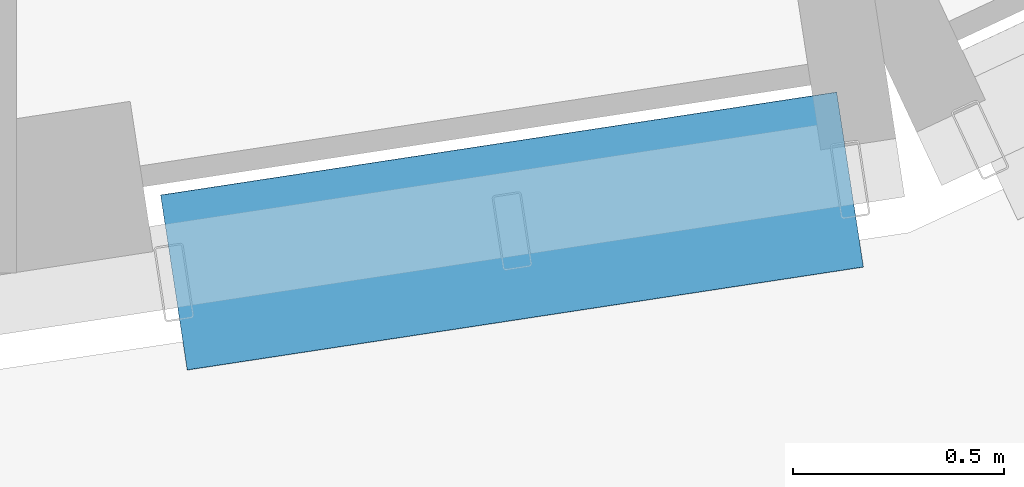
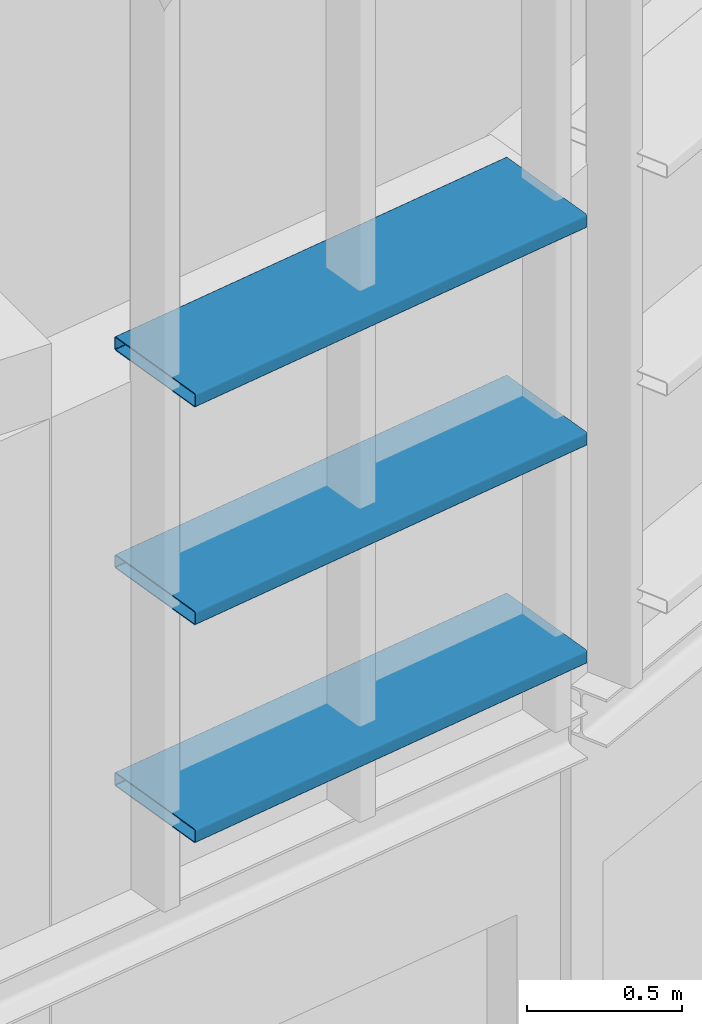
# One storey, part 145 of 372: 3 members.
"""IFC4 building model written with IfcOpenShell, lengths in metres."""

from ifc_helpers import new_model, si_unit, direction, frame, origin, origin_2d, place, context, subcontext, project, spatial, hollow_rectangle, extrude, material, material_profile, profile_set, type_object, element, save


model = new_model("IFC4")

# Units and contexts
model_context = context("Model", 3, precision=1e-05, world=origin(), true_north=direction((0.0, 1.0)))
body_context = subcontext(model_context, "Body", "Model", "MODEL_VIEW")
ifc_project = project(units=[si_unit("LENGTHUNIT", "METRE"), si_unit("AREAUNIT", "SQUARE_METRE"), si_unit("VOLUMEUNIT", "CUBIC_METRE"), si_unit("PLANEANGLEUNIT", "RADIAN"), si_unit("MASSUNIT", "GRAM", prefix="KILO")], contexts=[model_context])

# Site, building, storey
site_placement = place(None, origin())
site = spatial("IfcSite", under=ifc_project, at=site_placement, CompositionType="ELEMENT")
building_placement = place(site_placement, origin())
building = spatial("IfcBuilding", under=site, at=building_placement, Name="Kaelora Sail Theatre", CompositionType="ELEMENT")
storey_placement = place(building_placement, origin())
storey = spatial("IfcBuildingStorey", under=building, at=storey_placement, Name="L00", CompositionType="ELEMENT", Elevation=0.0)

# Members
ifc_material = material(Name="Anodised aluminium 6063-T6", Category="aluminium")
ifc_material_profile = material_profile(ifc_material, hollow_rectangle(XDim=0.419921875, YDim=0.054931640625, WallThickness=0.00390625, InnerFilletRadius=0.00390625, OuterFilletRadius=0.008056640625, at=origin_2d()), Name="LOUVRE 420x55x4")
ifc_profile_set = profile_set([ifc_material_profile], Name="Anodised aluminium 6063-T6")
member_type = type_object("IfcMemberType", Name="ARC-MEM-LVR-420", PredefinedType="USERDEFINED", material=ifc_profile_set)
for number, where, z_axis, x_axis, name in (
    (1, (92.9248046875, 31.35107421875, 3.449951171875), (-0.988605679587, -0.15052843681, 0.0), (0.15052843681, -0.988605679587, 0.0), "Studio Theatre Sail Drum horizontal solar louvre C10-01"),
    (2, (92.9248046875, 31.35107421875, 4.31005859375), (-0.988605679587, -0.15052843681, 0.0), (0.15052843681, -0.988605679587, 0.0), "Studio Theatre Sail Drum horizontal solar louvre C10-02"),
    (3, (92.9248046875, 31.35107421875, 5.169921875), (-0.988605679587, -0.15052843681, 0.0), (0.15052843681, -0.988605679587, 0.0), "Studio Theatre Sail Drum horizontal solar louvre C10-03"),
):
    element("IfcMember", number, at=place(storey_placement, frame(where, z_axis=z_axis, x_axis=x_axis)), inside=storey, type_object=member_type, Name=name, ObjectType="LOUVRE", PredefinedType="USERDEFINED", context=body_context, shape_type="SweptSolid", body=[
        extrude(hollow_rectangle(XDim=0.419921875, YDim=0.054931640625, WallThickness=0.00390625, InnerFilletRadius=0.00390625, OuterFilletRadius=0.008056640625, at=origin_2d()), origin(), (0.0, 0.0, 1.0), 1.620361328125),
    ])

save(model, "model.ifc")
